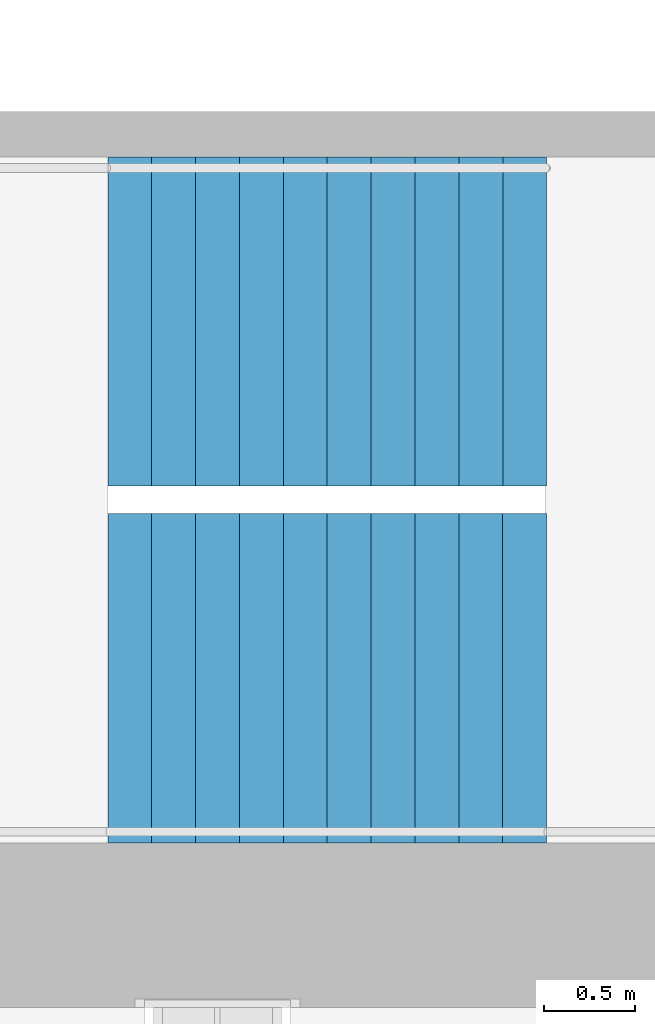
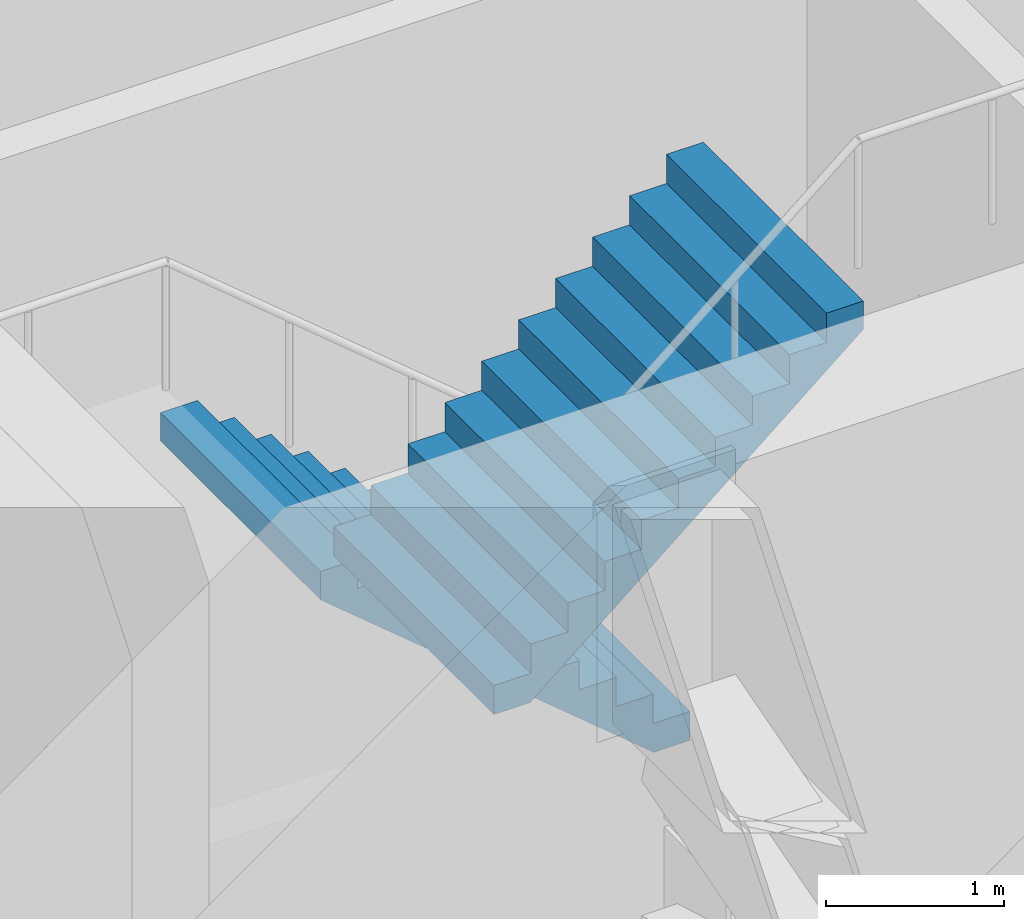
# One storey, part 26 of 31: 2 stair flights, 1 element without a shape of its own.
"""IFC4 building model written with IfcOpenShell, lengths in metres."""

from ifc_helpers import new_model, si_unit, direction, frame, origin, place, context, subcontext, project, spatial, triangles, material, type_object, element, aggregate, save


model = new_model("IFC4")

# Units and contexts
model_context = context("Model", 3, precision=1e-05, world=origin(), true_north=direction((0.0, 1.0)))
body_context = subcontext(model_context, "Body", "Model", "MODEL_VIEW")
ifc_project = project(units=[si_unit("LENGTHUNIT", "METRE"), si_unit("AREAUNIT", "SQUARE_METRE"), si_unit("VOLUMEUNIT", "CUBIC_METRE"), si_unit("PLANEANGLEUNIT", "RADIAN"), si_unit("MASSUNIT", "GRAM", prefix="KILO")], contexts=[model_context])

# Site, building, storey
site_placement = place(None, origin())
site = spatial("IfcSite", under=ifc_project, at=site_placement, CompositionType="ELEMENT")
building_placement = place(site_placement, origin())
building = spatial("IfcBuilding", under=site, at=building_placement, Name="Hakoniwa Tower and Hamabe Station Hall", CompositionType="ELEMENT")
storey_placement = place(building_placement, frame((0.0, 0.0, 120.199951171875)))
storey = spatial("IfcBuildingStorey", under=building, at=storey_placement, Name="L34", CompositionType="ELEMENT", Elevation=120.199951171875)

# Stair, stair flights
ifc_material_1 = material(Name="Concrete C40", Category="concrete")
stair_type = type_object("IfcStairType", Name="ESCAPE STAIR 1800", PredefinedType="HALF_TURN_STAIR", material=ifc_material_1)
stair_placement = place(storey_placement, origin())
stair = element("IfcStair", 1, at=stair_placement, inside=storey, type_object=stair_type, Name="Escape stair ST-2 L34", PredefinedType="HALF_TURN_STAIR")
ifc_material_2 = material(Name="Concrete C40", Category="concrete")
stair_flight_type = type_object("IfcStairFlightType", Name="STAIR FLIGHT 1800", PredefinedType="STRAIGHT", material=ifc_material_2)
stair_flight_1_placement = place(storey_placement, frame((-23.39990234375, -4.64990234375, 0.0), z_axis=(0.0, 0.0, 1.0), x_axis=(-1.0, 0.0, 0.0)))
stair_flight_1 = element("IfcStairFlight", 2, at=stair_flight_1_placement, type_object=stair_flight_type, Name="ST-2 flight 1", NumberOfRisers=11, NumberOfTreads=10, PredefinedType="STRAIGHT", RiserHeight=0.2, TreadLength=0.24, context=body_context, shape_type="Tessellation", body=[
    triangles([(0.0, 0.89990234375, 0.0), (0.234130859375, 0.89990234375, 0.0), (0.239990234375, 0.89990234375, 0.0048828125), (0.47998046875, 0.89990234375, 0.204833984375), (0.719970703125, 0.89990234375, 0.40478515625), (0.9599609375, 0.89990234375, 0.60498046875), (1.199951171875, 0.89990234375, 0.804931640625), (1.43994140625, 0.89990234375, 1.0048828125), (1.679931640625, 0.89990234375, 1.204833984375), (1.919921875, 0.89990234375, 1.40478515625), (2.159912109375, 0.89990234375, 1.60498046875), (2.39990234375, 0.89990234375, 1.804931640625), (2.39990234375, 0.89990234375, 2.0), (2.159912109375, 0.89990234375, 2.0), (2.159912109375, 0.89990234375, 1.800048828125), (1.919921875, 0.89990234375, 1.800048828125), (1.919921875, 0.89990234375, 1.60009765625), (1.679931640625, 0.89990234375, 1.60009765625), (1.679931640625, 0.89990234375, 1.39990234375), (1.43994140625, 0.89990234375, 1.39990234375), (1.43994140625, 0.89990234375, 1.199951171875), (1.199951171875, 0.89990234375, 1.199951171875), (1.199951171875, 0.89990234375, 1.0), (0.9599609375, 0.89990234375, 1.0), (0.9599609375, 0.89990234375, 0.800048828125), (0.719970703125, 0.89990234375, 0.800048828125), (0.719970703125, 0.89990234375, 0.60009765625), (0.47998046875, 0.89990234375, 0.60009765625), (0.47998046875, 0.89990234375, 0.39990234375), (0.239990234375, 0.89990234375, 0.39990234375), (0.239990234375, 0.89990234375, 0.199951171875), (0.234130859375, 0.89990234375, 0.199951171875), (0.0, 0.89990234375, 0.199951171875), (0.0, 0.06005859375, 0.0), (0.234130859375, 0.06005859375, 0.0), (0.239990234375, 0.06005859375, 0.0048828125), (0.47998046875, 0.06005859375, 0.204833984375), (0.719970703125, 0.06005859375, 0.40478515625), (0.9599609375, 0.06005859375, 0.60498046875), (1.199951171875, 0.06005859375, 0.804931640625), (1.43994140625, 0.06005859375, 1.0048828125), (1.679931640625, 0.06005859375, 1.204833984375), (1.919921875, 0.06005859375, 1.40478515625), (2.159912109375, 0.06005859375, 1.60498046875), (2.39990234375, 0.06005859375, 1.804931640625), (2.39990234375, 0.06005859375, 2.0), (2.159912109375, 0.06005859375, 2.0), (2.159912109375, 0.06005859375, 1.800048828125), (1.919921875, 0.06005859375, 1.800048828125), (1.919921875, 0.06005859375, 1.60009765625), (1.679931640625, 0.06005859375, 1.60009765625), (1.679931640625, 0.06005859375, 1.39990234375), (1.43994140625, 0.06005859375, 1.39990234375), (1.43994140625, 0.06005859375, 1.199951171875), (1.199951171875, 0.06005859375, 1.199951171875), (1.199951171875, 0.06005859375, 1.0), (0.9599609375, 0.06005859375, 1.0), (0.9599609375, 0.06005859375, 0.800048828125), (0.719970703125, 0.06005859375, 0.800048828125), (0.719970703125, 0.06005859375, 0.60009765625), (0.47998046875, 0.06005859375, 0.60009765625), (0.47998046875, 0.06005859375, 0.39990234375), (0.239990234375, 0.06005859375, 0.39990234375), (0.239990234375, 0.06005859375, 0.199951171875), (0.234130859375, 0.06005859375, 0.199951171875), (0.0, 0.06005859375, 0.199951171875), (0.0, 0.02001953125, 0.0), (0.234130859375, 0.02001953125, 0.0), (0.239990234375, 0.02001953125, 0.0048828125), (0.47998046875, 0.02001953125, 0.204833984375), (0.719970703125, 0.02001953125, 0.40478515625), (0.9599609375, 0.02001953125, 0.60498046875), (1.199951171875, 0.02001953125, 0.804931640625), (1.43994140625, 0.02001953125, 1.0048828125), (1.679931640625, 0.02001953125, 1.204833984375), (1.919921875, 0.02001953125, 1.40478515625), (2.159912109375, 0.02001953125, 1.60498046875), (2.39990234375, 0.02001953125, 1.804931640625), (2.39990234375, 0.02001953125, 2.0), (2.159912109375, 0.02001953125, 2.0), (2.159912109375, 0.02001953125, 1.800048828125), (1.919921875, 0.02001953125, 1.800048828125), (1.919921875, 0.02001953125, 1.60009765625), (1.679931640625, 0.02001953125, 1.60009765625), (1.679931640625, 0.02001953125, 1.39990234375), (1.43994140625, 0.02001953125, 1.39990234375), (1.43994140625, 0.02001953125, 1.199951171875), (1.199951171875, 0.02001953125, 1.199951171875), (1.199951171875, 0.02001953125, 1.0), (0.9599609375, 0.02001953125, 1.0), (0.9599609375, 0.02001953125, 0.800048828125), (0.719970703125, 0.02001953125, 0.800048828125), (0.719970703125, 0.02001953125, 0.60009765625), (0.47998046875, 0.02001953125, 0.60009765625), (0.47998046875, 0.02001953125, 0.39990234375), (0.239990234375, 0.02001953125, 0.39990234375), (0.239990234375, 0.02001953125, 0.199951171875), (0.234130859375, 0.02001953125, 0.199951171875), (0.0, 0.02001953125, 0.199951171875), (0.0, -0.02001953125, 0.0), (0.234130859375, -0.02001953125, 0.0), (0.239990234375, -0.02001953125, 0.0048828125), (0.47998046875, -0.02001953125, 0.204833984375), (0.719970703125, -0.02001953125, 0.40478515625), (0.9599609375, -0.02001953125, 0.60498046875), (1.199951171875, -0.02001953125, 0.804931640625), (1.43994140625, -0.02001953125, 1.0048828125), (1.679931640625, -0.02001953125, 1.204833984375), (1.919921875, -0.02001953125, 1.40478515625), (2.159912109375, -0.02001953125, 1.60498046875), (2.39990234375, -0.02001953125, 1.804931640625), (2.39990234375, -0.02001953125, 2.0), (2.159912109375, -0.02001953125, 2.0), (2.159912109375, -0.02001953125, 1.800048828125), (1.919921875, -0.02001953125, 1.800048828125), (1.919921875, -0.02001953125, 1.60009765625), (1.679931640625, -0.02001953125, 1.60009765625), (1.679931640625, -0.02001953125, 1.39990234375), (1.43994140625, -0.02001953125, 1.39990234375), (1.43994140625, -0.02001953125, 1.199951171875), (1.199951171875, -0.02001953125, 1.199951171875), (1.199951171875, -0.02001953125, 1.0), (0.9599609375, -0.02001953125, 1.0), (0.9599609375, -0.02001953125, 0.800048828125), (0.719970703125, -0.02001953125, 0.800048828125), (0.719970703125, -0.02001953125, 0.60009765625), (0.47998046875, -0.02001953125, 0.60009765625), (0.47998046875, -0.02001953125, 0.39990234375), (0.239990234375, -0.02001953125, 0.39990234375), (0.239990234375, -0.02001953125, 0.199951171875), (0.234130859375, -0.02001953125, 0.199951171875), (0.0, -0.02001953125, 0.199951171875), (0.0, -0.06005859375, 0.0), (0.234130859375, -0.06005859375, 0.0), (0.239990234375, -0.06005859375, 0.0048828125), (0.47998046875, -0.06005859375, 0.204833984375), (0.719970703125, -0.06005859375, 0.40478515625), (0.9599609375, -0.06005859375, 0.60498046875), (1.199951171875, -0.06005859375, 0.804931640625), (1.43994140625, -0.06005859375, 1.0048828125), (1.679931640625, -0.06005859375, 1.204833984375), (1.919921875, -0.06005859375, 1.40478515625), (2.159912109375, -0.06005859375, 1.60498046875), (2.39990234375, -0.06005859375, 1.804931640625), (2.39990234375, -0.06005859375, 2.0), (2.159912109375, -0.06005859375, 2.0), (2.159912109375, -0.06005859375, 1.800048828125), (1.919921875, -0.06005859375, 1.800048828125), (1.919921875, -0.06005859375, 1.60009765625), (1.679931640625, -0.06005859375, 1.60009765625), (1.679931640625, -0.06005859375, 1.39990234375), (1.43994140625, -0.06005859375, 1.39990234375), (1.43994140625, -0.06005859375, 1.199951171875), (1.199951171875, -0.06005859375, 1.199951171875), (1.199951171875, -0.06005859375, 1.0), (0.9599609375, -0.06005859375, 1.0), (0.9599609375, -0.06005859375, 0.800048828125), (0.719970703125, -0.06005859375, 0.800048828125), (0.719970703125, -0.06005859375, 0.60009765625), (0.47998046875, -0.06005859375, 0.60009765625), (0.47998046875, -0.06005859375, 0.39990234375), (0.239990234375, -0.06005859375, 0.39990234375), (0.239990234375, -0.06005859375, 0.199951171875), (0.234130859375, -0.06005859375, 0.199951171875), (0.0, -0.06005859375, 0.199951171875), (0.0, -0.89990234375, 0.0), (0.234130859375, -0.89990234375, 0.0), (0.239990234375, -0.89990234375, 0.0048828125), (0.47998046875, -0.89990234375, 0.204833984375), (0.719970703125, -0.89990234375, 0.40478515625), (0.9599609375, -0.89990234375, 0.60498046875), (1.199951171875, -0.89990234375, 0.804931640625), (1.43994140625, -0.89990234375, 1.0048828125), (1.679931640625, -0.89990234375, 1.204833984375), (1.919921875, -0.89990234375, 1.40478515625), (2.159912109375, -0.89990234375, 1.60498046875), (2.39990234375, -0.89990234375, 1.804931640625), (2.39990234375, -0.89990234375, 2.0), (2.159912109375, -0.89990234375, 2.0), (2.159912109375, -0.89990234375, 1.800048828125), (1.919921875, -0.89990234375, 1.800048828125), (1.919921875, -0.89990234375, 1.60009765625), (1.679931640625, -0.89990234375, 1.60009765625), (1.679931640625, -0.89990234375, 1.39990234375), (1.43994140625, -0.89990234375, 1.39990234375), (1.43994140625, -0.89990234375, 1.199951171875), (1.199951171875, -0.89990234375, 1.199951171875), (1.199951171875, -0.89990234375, 1.0), (0.9599609375, -0.89990234375, 1.0), (0.9599609375, -0.89990234375, 0.800048828125), (0.719970703125, -0.89990234375, 0.800048828125), (0.719970703125, -0.89990234375, 0.60009765625), (0.47998046875, -0.89990234375, 0.60009765625), (0.47998046875, -0.89990234375, 0.39990234375), (0.239990234375, -0.89990234375, 0.39990234375), (0.239990234375, -0.89990234375, 0.199951171875), (0.234130859375, -0.89990234375, 0.199951171875), (0.0, -0.89990234375, 0.199951171875)], [[2, 33, 32], [167, 197, 198], [2, 1, 33], [167, 198, 166], [3, 32, 31], [168, 196, 197], [3, 2, 32], [168, 197, 167], [4, 30, 29], [169, 194, 195], [4, 31, 30], [169, 195, 196], [4, 3, 31], [169, 196, 168], [5, 28, 27], [170, 192, 193], [5, 29, 28], [170, 193, 194], [5, 4, 29], [170, 194, 169], [6, 26, 25], [171, 190, 191], [6, 27, 26], [171, 191, 192], [6, 5, 27], [171, 192, 170], [7, 24, 23], [172, 188, 189], [7, 25, 24], [172, 189, 190], [7, 6, 25], [172, 190, 171], [8, 22, 21], [173, 186, 187], [8, 23, 22], [173, 187, 188], [8, 7, 23], [173, 188, 172], [9, 20, 19], [174, 184, 185], [9, 21, 20], [174, 185, 186], [9, 8, 21], [174, 186, 173], [10, 18, 17], [175, 182, 183], [10, 19, 18], [175, 183, 184], [10, 9, 19], [175, 184, 174], [11, 16, 15], [176, 180, 181], [11, 17, 16], [176, 181, 182], [11, 10, 17], [176, 182, 175], [12, 14, 13], [177, 178, 179], [12, 15, 14], [177, 179, 180], [12, 11, 15], [177, 180, 176], [1, 2, 35], [1, 35, 34], [34, 35, 68], [34, 68, 67], [67, 68, 101], [67, 101, 100], [100, 101, 134], [100, 134, 133], [133, 134, 167], [133, 167, 166], [2, 3, 36], [2, 36, 35], [35, 36, 69], [35, 69, 68], [68, 69, 102], [68, 102, 101], [101, 102, 135], [101, 135, 134], [134, 135, 168], [134, 168, 167], [3, 4, 37], [3, 37, 36], [36, 37, 70], [36, 70, 69], [69, 70, 103], [69, 103, 102], [102, 103, 136], [102, 136, 135], [135, 136, 169], [135, 169, 168], [4, 5, 38], [4, 38, 37], [37, 38, 71], [37, 71, 70], [70, 71, 104], [70, 104, 103], [103, 104, 137], [103, 137, 136], [136, 137, 170], [136, 170, 169], [5, 6, 39], [5, 39, 38], [38, 39, 72], [38, 72, 71], [71, 72, 105], [71, 105, 104], [104, 105, 138], [104, 138, 137], [137, 138, 171], [137, 171, 170], [6, 7, 40], [6, 40, 39], [39, 40, 73], [39, 73, 72], [72, 73, 106], [72, 106, 105], [105, 106, 139], [105, 139, 138], [138, 139, 172], [138, 172, 171], [7, 8, 41], [7, 41, 40], [40, 41, 74], [40, 74, 73], [73, 74, 107], [73, 107, 106], [106, 107, 140], [106, 140, 139], [139, 140, 173], [139, 173, 172], [8, 9, 42], [8, 42, 41], [41, 42, 75], [41, 75, 74], [74, 75, 108], [74, 108, 107], [107, 108, 141], [107, 141, 140], [140, 141, 174], [140, 174, 173], [9, 10, 43], [9, 43, 42], [42, 43, 76], [42, 76, 75], [75, 76, 109], [75, 109, 108], [108, 109, 142], [108, 142, 141], [141, 142, 175], [141, 175, 174], [10, 11, 44], [10, 44, 43], [43, 44, 77], [43, 77, 76], [76, 77, 110], [76, 110, 109], [109, 110, 143], [109, 143, 142], [142, 143, 176], [142, 176, 175], [11, 12, 45], [11, 45, 44], [44, 45, 78], [44, 78, 77], [77, 78, 111], [77, 111, 110], [110, 111, 144], [110, 144, 143], [143, 144, 177], [143, 177, 176], [12, 13, 46], [12, 46, 45], [45, 46, 79], [45, 79, 78], [78, 79, 112], [78, 112, 111], [111, 112, 145], [111, 145, 144], [144, 145, 178], [144, 178, 177], [13, 14, 47], [13, 47, 46], [46, 47, 80], [46, 80, 79], [79, 80, 113], [79, 113, 112], [112, 113, 146], [112, 146, 145], [145, 146, 179], [145, 179, 178], [14, 15, 48], [14, 48, 47], [47, 48, 81], [47, 81, 80], [80, 81, 114], [80, 114, 113], [113, 114, 147], [113, 147, 146], [146, 147, 180], [146, 180, 179], [15, 16, 49], [15, 49, 48], [48, 49, 82], [48, 82, 81], [81, 82, 115], [81, 115, 114], [114, 115, 148], [114, 148, 147], [147, 148, 181], [147, 181, 180], [16, 17, 50], [16, 50, 49], [49, 50, 83], [49, 83, 82], [82, 83, 116], [82, 116, 115], [115, 116, 149], [115, 149, 148], [148, 149, 182], [148, 182, 181], [17, 18, 51], [17, 51, 50], [50, 51, 84], [50, 84, 83], [83, 84, 117], [83, 117, 116], [116, 117, 150], [116, 150, 149], [149, 150, 183], [149, 183, 182], [18, 19, 52], [18, 52, 51], [51, 52, 85], [51, 85, 84], [84, 85, 118], [84, 118, 117], [117, 118, 151], [117, 151, 150], [150, 151, 184], [150, 184, 183], [19, 20, 53], [19, 53, 52], [52, 53, 86], [52, 86, 85], [85, 86, 119], [85, 119, 118], [118, 119, 152], [118, 152, 151], [151, 152, 185], [151, 185, 184], [20, 21, 54], [20, 54, 53], [53, 54, 87], [53, 87, 86], [86, 87, 120], [86, 120, 119], [119, 120, 153], [119, 153, 152], [152, 153, 186], [152, 186, 185], [21, 22, 55], [21, 55, 54], [54, 55, 88], [54, 88, 87], [87, 88, 121], [87, 121, 120], [120, 121, 154], [120, 154, 153], [153, 154, 187], [153, 187, 186], [22, 23, 56], [22, 56, 55], [55, 56, 89], [55, 89, 88], [88, 89, 122], [88, 122, 121], [121, 122, 155], [121, 155, 154], [154, 155, 188], [154, 188, 187], [23, 24, 57], [23, 57, 56], [56, 57, 90], [56, 90, 89], [89, 90, 123], [89, 123, 122], [122, 123, 156], [122, 156, 155], [155, 156, 189], [155, 189, 188], [24, 25, 58], [24, 58, 57], [57, 58, 91], [57, 91, 90], [90, 91, 124], [90, 124, 123], [123, 124, 157], [123, 157, 156], [156, 157, 190], [156, 190, 189], [25, 26, 59], [25, 59, 58], [58, 59, 92], [58, 92, 91], [91, 92, 125], [91, 125, 124], [124, 125, 158], [124, 158, 157], [157, 158, 191], [157, 191, 190], [26, 27, 60], [26, 60, 59], [59, 60, 93], [59, 93, 92], [92, 93, 126], [92, 126, 125], [125, 126, 159], [125, 159, 158], [158, 159, 192], [158, 192, 191], [27, 28, 61], [27, 61, 60], [60, 61, 94], [60, 94, 93], [93, 94, 127], [93, 127, 126], [126, 127, 160], [126, 160, 159], [159, 160, 193], [159, 193, 192], [28, 29, 62], [28, 62, 61], [61, 62, 95], [61, 95, 94], [94, 95, 128], [94, 128, 127], [127, 128, 161], [127, 161, 160], [160, 161, 194], [160, 194, 193], [29, 30, 63], [29, 63, 62], [62, 63, 96], [62, 96, 95], [95, 96, 129], [95, 129, 128], [128, 129, 162], [128, 162, 161], [161, 162, 195], [161, 195, 194], [30, 31, 64], [30, 64, 63], [63, 64, 97], [63, 97, 96], [96, 97, 130], [96, 130, 129], [129, 130, 163], [129, 163, 162], [162, 163, 196], [162, 196, 195], [31, 32, 65], [31, 65, 64], [64, 65, 98], [64, 98, 97], [97, 98, 131], [97, 131, 130], [130, 131, 164], [130, 164, 163], [163, 164, 197], [163, 197, 196], [32, 33, 66], [32, 66, 65], [65, 66, 99], [65, 99, 98], [98, 99, 132], [98, 132, 131], [131, 132, 165], [131, 165, 164], [164, 165, 198], [164, 198, 197], [33, 1, 34], [33, 34, 66], [66, 34, 67], [66, 67, 99], [99, 67, 100], [99, 100, 132], [132, 100, 133], [132, 133, 165], [165, 133, 166], [165, 166, 198]], closed=True),
])
stair_flight_2_placement = place(storey_placement, frame((-25.800048828125, -6.60009765625, 2.199951171875), z_axis=(0.0, 0.0, 1.0), x_axis=(1.0, 0.0, 0.0)))
stair_flight_2 = element("IfcStairFlight", 3, at=stair_flight_2_placement, type_object=stair_flight_type, Name="ST-2 flight 2", NumberOfRisers=11, NumberOfTreads=10, PredefinedType="STRAIGHT", RiserHeight=0.2, TreadLength=0.24, context=body_context, shape_type="Tessellation", body=[
    triangles([(0.0, 0.89990234375, 0.0), (0.234130859375, 0.89990234375, 0.0), (0.239990234375, 0.89990234375, 0.0048828125), (0.47998046875, 0.89990234375, 0.204833984375), (0.719970703125, 0.89990234375, 0.40478515625), (0.9599609375, 0.89990234375, 0.60498046875), (1.199951171875, 0.89990234375, 0.804931640625), (1.43994140625, 0.89990234375, 1.0048828125), (1.679931640625, 0.89990234375, 1.204833984375), (1.919921875, 0.89990234375, 1.40478515625), (2.159912109375, 0.89990234375, 1.60498046875), (2.39990234375, 0.89990234375, 1.804931640625), (2.39990234375, 0.89990234375, 2.0), (2.159912109375, 0.89990234375, 2.0), (2.159912109375, 0.89990234375, 1.800048828125), (1.919921875, 0.89990234375, 1.800048828125), (1.919921875, 0.89990234375, 1.60009765625), (1.679931640625, 0.89990234375, 1.60009765625), (1.679931640625, 0.89990234375, 1.39990234375), (1.43994140625, 0.89990234375, 1.39990234375), (1.43994140625, 0.89990234375, 1.199951171875), (1.199951171875, 0.89990234375, 1.199951171875), (1.199951171875, 0.89990234375, 1.0), (0.9599609375, 0.89990234375, 1.0), (0.9599609375, 0.89990234375, 0.800048828125), (0.719970703125, 0.89990234375, 0.800048828125), (0.719970703125, 0.89990234375, 0.60009765625), (0.47998046875, 0.89990234375, 0.60009765625), (0.47998046875, 0.89990234375, 0.39990234375), (0.239990234375, 0.89990234375, 0.39990234375), (0.239990234375, 0.89990234375, 0.199951171875), (0.234130859375, 0.89990234375, 0.199951171875), (0.0, 0.89990234375, 0.199951171875), (0.0, 0.06005859375, 0.0), (0.234130859375, 0.06005859375, 0.0), (0.239990234375, 0.06005859375, 0.0048828125), (0.47998046875, 0.06005859375, 0.204833984375), (0.719970703125, 0.06005859375, 0.40478515625), (0.9599609375, 0.06005859375, 0.60498046875), (1.199951171875, 0.06005859375, 0.804931640625), (1.43994140625, 0.06005859375, 1.0048828125), (1.679931640625, 0.06005859375, 1.204833984375), (1.919921875, 0.06005859375, 1.40478515625), (2.159912109375, 0.06005859375, 1.60498046875), (2.39990234375, 0.06005859375, 1.804931640625), (2.39990234375, 0.06005859375, 2.0), (2.159912109375, 0.06005859375, 2.0), (2.159912109375, 0.06005859375, 1.800048828125), (1.919921875, 0.06005859375, 1.800048828125), (1.919921875, 0.06005859375, 1.60009765625), (1.679931640625, 0.06005859375, 1.60009765625), (1.679931640625, 0.06005859375, 1.39990234375), (1.43994140625, 0.06005859375, 1.39990234375), (1.43994140625, 0.06005859375, 1.199951171875), (1.199951171875, 0.06005859375, 1.199951171875), (1.199951171875, 0.06005859375, 1.0), (0.9599609375, 0.06005859375, 1.0), (0.9599609375, 0.06005859375, 0.800048828125), (0.719970703125, 0.06005859375, 0.800048828125), (0.719970703125, 0.06005859375, 0.60009765625), (0.47998046875, 0.06005859375, 0.60009765625), (0.47998046875, 0.06005859375, 0.39990234375), (0.239990234375, 0.06005859375, 0.39990234375), (0.239990234375, 0.06005859375, 0.199951171875), (0.234130859375, 0.06005859375, 0.199951171875), (0.0, 0.06005859375, 0.199951171875), (0.0, 0.02001953125, 0.0), (0.234130859375, 0.02001953125, 0.0), (0.239990234375, 0.02001953125, 0.0048828125), (0.47998046875, 0.02001953125, 0.204833984375), (0.719970703125, 0.02001953125, 0.40478515625), (0.9599609375, 0.02001953125, 0.60498046875), (1.199951171875, 0.02001953125, 0.804931640625), (1.43994140625, 0.02001953125, 1.0048828125), (1.679931640625, 0.02001953125, 1.204833984375), (1.919921875, 0.02001953125, 1.40478515625), (2.159912109375, 0.02001953125, 1.60498046875), (2.39990234375, 0.02001953125, 1.804931640625), (2.39990234375, 0.02001953125, 2.0), (2.159912109375, 0.02001953125, 2.0), (2.159912109375, 0.02001953125, 1.800048828125), (1.919921875, 0.02001953125, 1.800048828125), (1.919921875, 0.02001953125, 1.60009765625), (1.679931640625, 0.02001953125, 1.60009765625), (1.679931640625, 0.02001953125, 1.39990234375), (1.43994140625, 0.02001953125, 1.39990234375), (1.43994140625, 0.02001953125, 1.199951171875), (1.199951171875, 0.02001953125, 1.199951171875), (1.199951171875, 0.02001953125, 1.0), (0.9599609375, 0.02001953125, 1.0), (0.9599609375, 0.02001953125, 0.800048828125), (0.719970703125, 0.02001953125, 0.800048828125), (0.719970703125, 0.02001953125, 0.60009765625), (0.47998046875, 0.02001953125, 0.60009765625), (0.47998046875, 0.02001953125, 0.39990234375), (0.239990234375, 0.02001953125, 0.39990234375), (0.239990234375, 0.02001953125, 0.199951171875), (0.234130859375, 0.02001953125, 0.199951171875), (0.0, 0.02001953125, 0.199951171875), (0.0, -0.02001953125, 0.0), (0.234130859375, -0.02001953125, 0.0), (0.239990234375, -0.02001953125, 0.0048828125), (0.47998046875, -0.02001953125, 0.204833984375), (0.719970703125, -0.02001953125, 0.40478515625), (0.9599609375, -0.02001953125, 0.60498046875), (1.199951171875, -0.02001953125, 0.804931640625), (1.43994140625, -0.02001953125, 1.0048828125), (1.679931640625, -0.02001953125, 1.204833984375), (1.919921875, -0.02001953125, 1.40478515625), (2.159912109375, -0.02001953125, 1.60498046875), (2.39990234375, -0.02001953125, 1.804931640625), (2.39990234375, -0.02001953125, 2.0), (2.159912109375, -0.02001953125, 2.0), (2.159912109375, -0.02001953125, 1.800048828125), (1.919921875, -0.02001953125, 1.800048828125), (1.919921875, -0.02001953125, 1.60009765625), (1.679931640625, -0.02001953125, 1.60009765625), (1.679931640625, -0.02001953125, 1.39990234375), (1.43994140625, -0.02001953125, 1.39990234375), (1.43994140625, -0.02001953125, 1.199951171875), (1.199951171875, -0.02001953125, 1.199951171875), (1.199951171875, -0.02001953125, 1.0), (0.9599609375, -0.02001953125, 1.0), (0.9599609375, -0.02001953125, 0.800048828125), (0.719970703125, -0.02001953125, 0.800048828125), (0.719970703125, -0.02001953125, 0.60009765625), (0.47998046875, -0.02001953125, 0.60009765625), (0.47998046875, -0.02001953125, 0.39990234375), (0.239990234375, -0.02001953125, 0.39990234375), (0.239990234375, -0.02001953125, 0.199951171875), (0.234130859375, -0.02001953125, 0.199951171875), (0.0, -0.02001953125, 0.199951171875), (0.0, -0.06005859375, 0.0), (0.234130859375, -0.06005859375, 0.0), (0.239990234375, -0.06005859375, 0.0048828125), (0.47998046875, -0.06005859375, 0.204833984375), (0.719970703125, -0.06005859375, 0.40478515625), (0.9599609375, -0.06005859375, 0.60498046875), (1.199951171875, -0.06005859375, 0.804931640625), (1.43994140625, -0.06005859375, 1.0048828125), (1.679931640625, -0.06005859375, 1.204833984375), (1.919921875, -0.06005859375, 1.40478515625), (2.159912109375, -0.06005859375, 1.60498046875), (2.39990234375, -0.06005859375, 1.804931640625), (2.39990234375, -0.06005859375, 2.0), (2.159912109375, -0.06005859375, 2.0), (2.159912109375, -0.06005859375, 1.800048828125), (1.919921875, -0.06005859375, 1.800048828125), (1.919921875, -0.06005859375, 1.60009765625), (1.679931640625, -0.06005859375, 1.60009765625), (1.679931640625, -0.06005859375, 1.39990234375), (1.43994140625, -0.06005859375, 1.39990234375), (1.43994140625, -0.06005859375, 1.199951171875), (1.199951171875, -0.06005859375, 1.199951171875), (1.199951171875, -0.06005859375, 1.0), (0.9599609375, -0.06005859375, 1.0), (0.9599609375, -0.06005859375, 0.800048828125), (0.719970703125, -0.06005859375, 0.800048828125), (0.719970703125, -0.06005859375, 0.60009765625), (0.47998046875, -0.06005859375, 0.60009765625), (0.47998046875, -0.06005859375, 0.39990234375), (0.239990234375, -0.06005859375, 0.39990234375), (0.239990234375, -0.06005859375, 0.199951171875), (0.234130859375, -0.06005859375, 0.199951171875), (0.0, -0.06005859375, 0.199951171875), (0.0, -0.89990234375, 0.0), (0.234130859375, -0.89990234375, 0.0), (0.239990234375, -0.89990234375, 0.0048828125), (0.47998046875, -0.89990234375, 0.204833984375), (0.719970703125, -0.89990234375, 0.40478515625), (0.9599609375, -0.89990234375, 0.60498046875), (1.199951171875, -0.89990234375, 0.804931640625), (1.43994140625, -0.89990234375, 1.0048828125), (1.679931640625, -0.89990234375, 1.204833984375), (1.919921875, -0.89990234375, 1.40478515625), (2.159912109375, -0.89990234375, 1.60498046875), (2.39990234375, -0.89990234375, 1.804931640625), (2.39990234375, -0.89990234375, 2.0), (2.159912109375, -0.89990234375, 2.0), (2.159912109375, -0.89990234375, 1.800048828125), (1.919921875, -0.89990234375, 1.800048828125), (1.919921875, -0.89990234375, 1.60009765625), (1.679931640625, -0.89990234375, 1.60009765625), (1.679931640625, -0.89990234375, 1.39990234375), (1.43994140625, -0.89990234375, 1.39990234375), (1.43994140625, -0.89990234375, 1.199951171875), (1.199951171875, -0.89990234375, 1.199951171875), (1.199951171875, -0.89990234375, 1.0), (0.9599609375, -0.89990234375, 1.0), (0.9599609375, -0.89990234375, 0.800048828125), (0.719970703125, -0.89990234375, 0.800048828125), (0.719970703125, -0.89990234375, 0.60009765625), (0.47998046875, -0.89990234375, 0.60009765625), (0.47998046875, -0.89990234375, 0.39990234375), (0.239990234375, -0.89990234375, 0.39990234375), (0.239990234375, -0.89990234375, 0.199951171875), (0.234130859375, -0.89990234375, 0.199951171875), (0.0, -0.89990234375, 0.199951171875)], [[2, 33, 32], [167, 197, 198], [2, 1, 33], [167, 198, 166], [3, 32, 31], [168, 196, 197], [3, 2, 32], [168, 197, 167], [4, 30, 29], [169, 194, 195], [4, 31, 30], [169, 195, 196], [4, 3, 31], [169, 196, 168], [5, 28, 27], [170, 192, 193], [5, 29, 28], [170, 193, 194], [5, 4, 29], [170, 194, 169], [6, 26, 25], [171, 190, 191], [6, 27, 26], [171, 191, 192], [6, 5, 27], [171, 192, 170], [7, 24, 23], [172, 188, 189], [7, 25, 24], [172, 189, 190], [7, 6, 25], [172, 190, 171], [8, 22, 21], [173, 186, 187], [8, 23, 22], [173, 187, 188], [8, 7, 23], [173, 188, 172], [9, 20, 19], [174, 184, 185], [9, 21, 20], [174, 185, 186], [9, 8, 21], [174, 186, 173], [10, 18, 17], [175, 182, 183], [10, 19, 18], [175, 183, 184], [10, 9, 19], [175, 184, 174], [11, 16, 15], [176, 180, 181], [11, 17, 16], [176, 181, 182], [11, 10, 17], [176, 182, 175], [12, 14, 13], [177, 178, 179], [12, 15, 14], [177, 179, 180], [12, 11, 15], [177, 180, 176], [1, 2, 35], [1, 35, 34], [34, 35, 68], [34, 68, 67], [67, 68, 101], [67, 101, 100], [100, 101, 134], [100, 134, 133], [133, 134, 167], [133, 167, 166], [2, 3, 36], [2, 36, 35], [35, 36, 69], [35, 69, 68], [68, 69, 102], [68, 102, 101], [101, 102, 135], [101, 135, 134], [134, 135, 168], [134, 168, 167], [3, 4, 37], [3, 37, 36], [36, 37, 70], [36, 70, 69], [69, 70, 103], [69, 103, 102], [102, 103, 136], [102, 136, 135], [135, 136, 169], [135, 169, 168], [4, 5, 38], [4, 38, 37], [37, 38, 71], [37, 71, 70], [70, 71, 104], [70, 104, 103], [103, 104, 137], [103, 137, 136], [136, 137, 170], [136, 170, 169], [5, 6, 39], [5, 39, 38], [38, 39, 72], [38, 72, 71], [71, 72, 105], [71, 105, 104], [104, 105, 138], [104, 138, 137], [137, 138, 171], [137, 171, 170], [6, 7, 40], [6, 40, 39], [39, 40, 73], [39, 73, 72], [72, 73, 106], [72, 106, 105], [105, 106, 139], [105, 139, 138], [138, 139, 172], [138, 172, 171], [7, 8, 41], [7, 41, 40], [40, 41, 74], [40, 74, 73], [73, 74, 107], [73, 107, 106], [106, 107, 140], [106, 140, 139], [139, 140, 173], [139, 173, 172], [8, 9, 42], [8, 42, 41], [41, 42, 75], [41, 75, 74], [74, 75, 108], [74, 108, 107], [107, 108, 141], [107, 141, 140], [140, 141, 174], [140, 174, 173], [9, 10, 43], [9, 43, 42], [42, 43, 76], [42, 76, 75], [75, 76, 109], [75, 109, 108], [108, 109, 142], [108, 142, 141], [141, 142, 175], [141, 175, 174], [10, 11, 44], [10, 44, 43], [43, 44, 77], [43, 77, 76], [76, 77, 110], [76, 110, 109], [109, 110, 143], [109, 143, 142], [142, 143, 176], [142, 176, 175], [11, 12, 45], [11, 45, 44], [44, 45, 78], [44, 78, 77], [77, 78, 111], [77, 111, 110], [110, 111, 144], [110, 144, 143], [143, 144, 177], [143, 177, 176], [12, 13, 46], [12, 46, 45], [45, 46, 79], [45, 79, 78], [78, 79, 112], [78, 112, 111], [111, 112, 145], [111, 145, 144], [144, 145, 178], [144, 178, 177], [13, 14, 47], [13, 47, 46], [46, 47, 80], [46, 80, 79], [79, 80, 113], [79, 113, 112], [112, 113, 146], [112, 146, 145], [145, 146, 179], [145, 179, 178], [14, 15, 48], [14, 48, 47], [47, 48, 81], [47, 81, 80], [80, 81, 114], [80, 114, 113], [113, 114, 147], [113, 147, 146], [146, 147, 180], [146, 180, 179], [15, 16, 49], [15, 49, 48], [48, 49, 82], [48, 82, 81], [81, 82, 115], [81, 115, 114], [114, 115, 148], [114, 148, 147], [147, 148, 181], [147, 181, 180], [16, 17, 50], [16, 50, 49], [49, 50, 83], [49, 83, 82], [82, 83, 116], [82, 116, 115], [115, 116, 149], [115, 149, 148], [148, 149, 182], [148, 182, 181], [17, 18, 51], [17, 51, 50], [50, 51, 84], [50, 84, 83], [83, 84, 117], [83, 117, 116], [116, 117, 150], [116, 150, 149], [149, 150, 183], [149, 183, 182], [18, 19, 52], [18, 52, 51], [51, 52, 85], [51, 85, 84], [84, 85, 118], [84, 118, 117], [117, 118, 151], [117, 151, 150], [150, 151, 184], [150, 184, 183], [19, 20, 53], [19, 53, 52], [52, 53, 86], [52, 86, 85], [85, 86, 119], [85, 119, 118], [118, 119, 152], [118, 152, 151], [151, 152, 185], [151, 185, 184], [20, 21, 54], [20, 54, 53], [53, 54, 87], [53, 87, 86], [86, 87, 120], [86, 120, 119], [119, 120, 153], [119, 153, 152], [152, 153, 186], [152, 186, 185], [21, 22, 55], [21, 55, 54], [54, 55, 88], [54, 88, 87], [87, 88, 121], [87, 121, 120], [120, 121, 154], [120, 154, 153], [153, 154, 187], [153, 187, 186], [22, 23, 56], [22, 56, 55], [55, 56, 89], [55, 89, 88], [88, 89, 122], [88, 122, 121], [121, 122, 155], [121, 155, 154], [154, 155, 188], [154, 188, 187], [23, 24, 57], [23, 57, 56], [56, 57, 90], [56, 90, 89], [89, 90, 123], [89, 123, 122], [122, 123, 156], [122, 156, 155], [155, 156, 189], [155, 189, 188], [24, 25, 58], [24, 58, 57], [57, 58, 91], [57, 91, 90], [90, 91, 124], [90, 124, 123], [123, 124, 157], [123, 157, 156], [156, 157, 190], [156, 190, 189], [25, 26, 59], [25, 59, 58], [58, 59, 92], [58, 92, 91], [91, 92, 125], [91, 125, 124], [124, 125, 158], [124, 158, 157], [157, 158, 191], [157, 191, 190], [26, 27, 60], [26, 60, 59], [59, 60, 93], [59, 93, 92], [92, 93, 126], [92, 126, 125], [125, 126, 159], [125, 159, 158], [158, 159, 192], [158, 192, 191], [27, 28, 61], [27, 61, 60], [60, 61, 94], [60, 94, 93], [93, 94, 127], [93, 127, 126], [126, 127, 160], [126, 160, 159], [159, 160, 193], [159, 193, 192], [28, 29, 62], [28, 62, 61], [61, 62, 95], [61, 95, 94], [94, 95, 128], [94, 128, 127], [127, 128, 161], [127, 161, 160], [160, 161, 194], [160, 194, 193], [29, 30, 63], [29, 63, 62], [62, 63, 96], [62, 96, 95], [95, 96, 129], [95, 129, 128], [128, 129, 162], [128, 162, 161], [161, 162, 195], [161, 195, 194], [30, 31, 64], [30, 64, 63], [63, 64, 97], [63, 97, 96], [96, 97, 130], [96, 130, 129], [129, 130, 163], [129, 163, 162], [162, 163, 196], [162, 196, 195], [31, 32, 65], [31, 65, 64], [64, 65, 98], [64, 98, 97], [97, 98, 131], [97, 131, 130], [130, 131, 164], [130, 164, 163], [163, 164, 197], [163, 197, 196], [32, 33, 66], [32, 66, 65], [65, 66, 99], [65, 99, 98], [98, 99, 132], [98, 132, 131], [131, 132, 165], [131, 165, 164], [164, 165, 198], [164, 198, 197], [33, 1, 34], [33, 34, 66], [66, 34, 67], [66, 67, 99], [99, 67, 100], [99, 100, 132], [132, 100, 133], [132, 133, 165], [165, 133, 166], [165, 166, 198]], closed=True),
])
aggregate(stair, [stair_flight_1, stair_flight_2])

save(model, "model.ifc")
